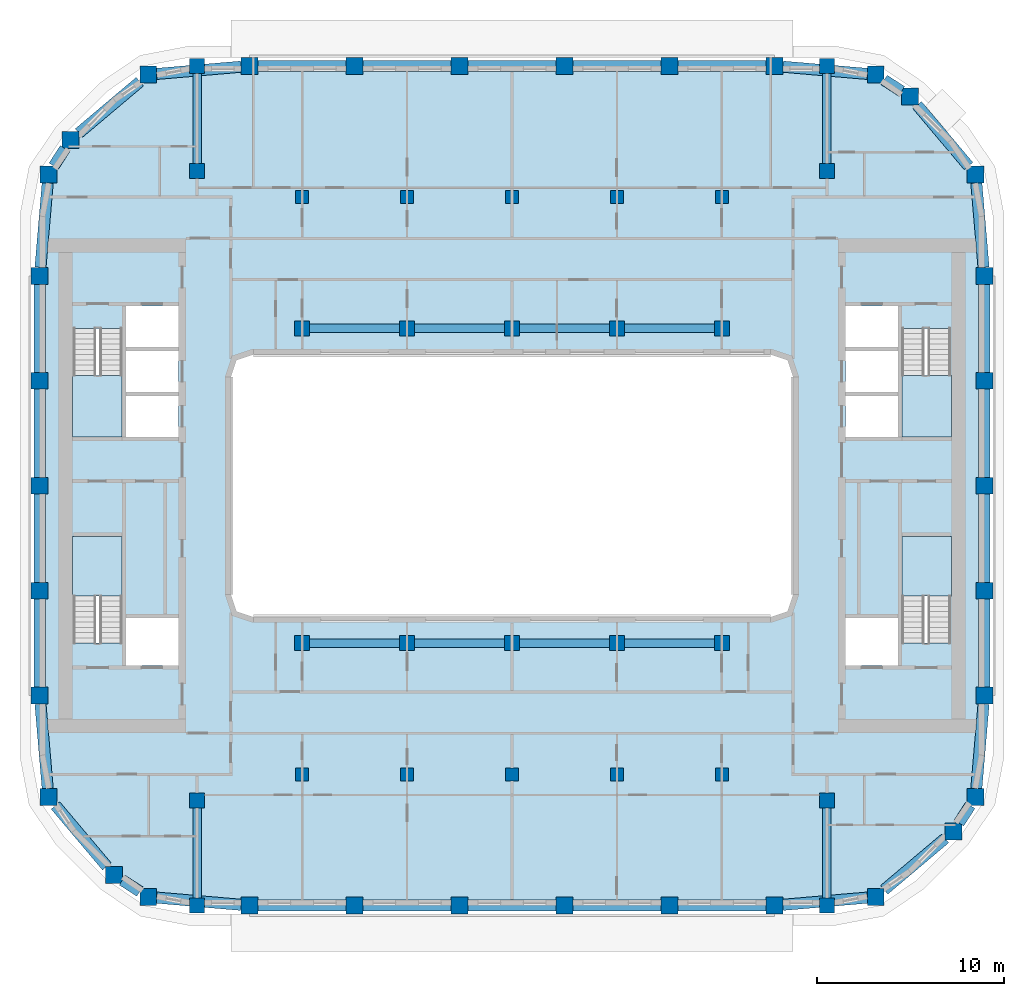
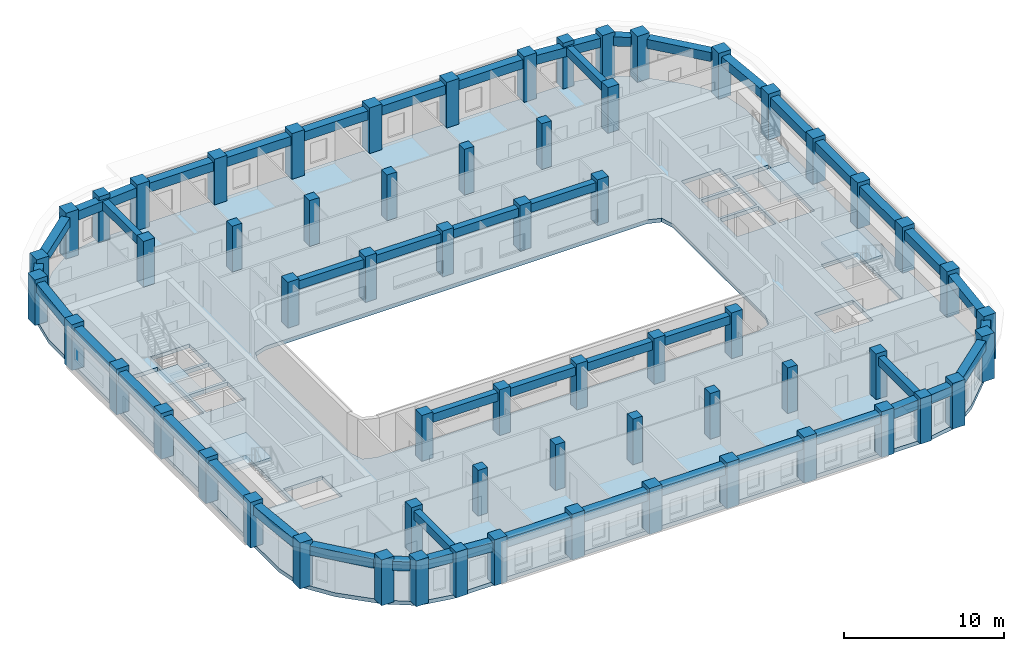
# One storey, part 1 of 20: 62 columns, 46 beams, 5 slabs, 4 elements without a shape of their own.
"""IFC4 building model written with IfcOpenShell, lengths in metres."""

from ifc_helpers import new_model, si_unit, direction, frame, origin, origin_2d, place, context, subcontext, project, spatial, polyline, rectangle, outline, extrude, material, layer, layer_set, material_profile, profile_set, type_object, element, aggregate, save


model = new_model("IFC4")

# Units and contexts
model_context = context("Model", 3, precision=1e-05, world=origin(), true_north=direction((0.0, 1.0)))
body_context = subcontext(model_context, "Body", "Model", "MODEL_VIEW")
ifc_project = project(units=[si_unit("LENGTHUNIT", "METRE"), si_unit("AREAUNIT", "SQUARE_METRE"), si_unit("VOLUMEUNIT", "CUBIC_METRE"), si_unit("PLANEANGLEUNIT", "RADIAN"), si_unit("MASSUNIT", "GRAM", prefix="KILO")], contexts=[model_context])

# Site, building, storey
site_placement = place(None, origin())
site = spatial("IfcSite", under=ifc_project, at=site_placement, CompositionType="ELEMENT")
building_placement = place(site_placement, origin())
building = spatial("IfcBuilding", under=site, at=building_placement, Name="Kiln Ring Residences", CompositionType="ELEMENT")
storey_placement = place(building_placement, frame((0.0, 0.0, 206.39990234375)))
storey = spatial("IfcBuildingStorey", under=building, at=storey_placement, Name="L53", CompositionType="ELEMENT", Elevation=206.39990234375)

# Columns
ifc_material_1 = material(Name="Concrete C70/85", Category="concrete")
ifc_material_profile_1 = material_profile(ifc_material_1, rectangle(XDim=0.699951171875, YDim=0.699951171875, at=origin_2d()), Name="RC700x700")
ifc_profile_set_1 = profile_set([ifc_material_profile_1], Name="Concrete C70/85")
column_type_1 = type_object("IfcColumnType", Name="Corridor column RC700x700 C70/85", PredefinedType="COLUMN", material=ifc_profile_set_1)
for number, where, z_axis, x_axis, name in (
    (1, (-11.199951171875, 15.39990234375, 0.0), (0.0, 0.0, 1.0), (1.0, 0.0, 0.0), "Corridor column L53 1"),
    (2, (-5.60009765625, 15.39990234375, 0.0), (0.0, 0.0, 1.0), (1.0, 0.0, 0.0), "Corridor column L53 2"),
    (3, (0.0, 15.39990234375, 0.0), (0.0, 0.0, 1.0), (1.0, 0.0, 0.0), "Corridor column L53 3"),
    (4, (5.60009765625, 15.39990234375, 0.0), (0.0, 0.0, 1.0), (1.0, 0.0, 0.0), "Corridor column L53 4"),
    (5, (11.199951171875, 15.39990234375, 0.0), (0.0, 0.0, 1.0), (1.0, 0.0, 0.0), "Corridor column L53 5"),
    (6, (-11.199951171875, -15.39990234375, 0.0), (0.0, 0.0, 1.0), (1.0, 0.0, 0.0), "Corridor column L53 6"),
    (7, (-5.60009765625, -15.39990234375, 0.0), (0.0, 0.0, 1.0), (1.0, 0.0, 0.0), "Corridor column L53 7"),
    (8, (0.0, -15.39990234375, 0.0), (0.0, 0.0, 1.0), (1.0, 0.0, 0.0), "Corridor column L53 8"),
    (9, (5.60009765625, -15.39990234375, 0.0), (0.0, 0.0, 1.0), (1.0, 0.0, 0.0), "Corridor column L53 9"),
    (10, (11.199951171875, -15.39990234375, 0.0), (0.0, 0.0, 1.0), (1.0, 0.0, 0.0), "Corridor column L53 10"),
):
    element("IfcColumn", number, at=place(storey_placement, frame(where, z_axis=z_axis, x_axis=x_axis)), inside=storey, type_object=column_type_1, Name=name, PredefinedType="COLUMN", context=body_context, shape_type="SweptSolid", body=[
        extrude(rectangle(XDim=0.699951171875, YDim=0.699951171875, at=origin_2d()), origin(), (0.0, 0.0, 1.0), 3.5),
    ])
ifc_material_2 = material(Name="Concrete C70/85", Category="concrete")
ifc_material_profile_2 = material_profile(ifc_material_2, rectangle(XDim=0.89990234375, YDim=0.89990234375, at=origin_2d()), Name="RC900x900")
ifc_profile_set_2 = profile_set([ifc_material_profile_2], Name="Concrete C70/85")
column_type_2 = type_object("IfcColumnType", Name="Perimeter column RC900x900 C70/85", PredefinedType="COLUMN", material=ifc_profile_set_2)
for number, where, z_axis, x_axis, name in (
    (11, (-19.40869140625, -21.93798828125, 0.0), (0.0, 0.0, 1.0), (1.0, 0.0, 0.0), "Perimeter column L53 1"),
    (12, (-14.0, -22.39990234375, 0.0), (0.0, 0.0, 1.0), (1.0, 0.0, 0.0), "Perimeter column L53 2"),
    (13, (-8.39990234375, -22.39990234375, 0.0), (0.0, 0.0, 1.0), (1.0, 0.0, 0.0), "Perimeter column L53 3"),
    (14, (-2.800048828125, -22.39990234375, 0.0), (0.0, 0.0, 1.0), (1.0, 0.0, 0.0), "Perimeter column L53 4"),
    (15, (2.800048828125, -22.39990234375, 0.0), (0.0, 0.0, 1.0), (1.0, 0.0, 0.0), "Perimeter column L53 5"),
    (16, (8.39990234375, -22.39990234375, 0.0), (0.0, 0.0, 1.0), (1.0, 0.0, 0.0), "Perimeter column L53 6"),
    (17, (14.0, -22.39990234375, 0.0), (0.0, 0.0, 1.0), (1.0, 0.0, 0.0), "Perimeter column L53 7"),
    (18, (19.40869140625, -21.93798828125, 0.0), (0.0, 0.0, 1.0), (1.0, 0.0, 0.0), "Perimeter column L53 8"),
    (19, (23.559814453125, -18.440185546875, 0.0), (0.0, 0.0, 1.0), (1.0, 0.0, 0.0), "Perimeter column L53 9"),
    (20, (24.738037109375, -16.608642578125, 0.0), (0.0, 0.0, 1.0), (1.0, 0.0, 0.0), "Perimeter column L53 10"),
    (21, (25.199951171875, -11.199951171875, 0.0), (0.0, 0.0, 1.0), (1.0, 0.0, 0.0), "Perimeter column L53 11"),
    (22, (25.199951171875, -5.60009765625, 0.0), (0.0, 0.0, 1.0), (1.0, 0.0, 0.0), "Perimeter column L53 12"),
    (23, (25.199951171875, 0.0, 0.0), (0.0, 0.0, 1.0), (1.0, 0.0, 0.0), "Perimeter column L53 13"),
    (24, (25.199951171875, 5.60009765625, 0.0), (0.0, 0.0, 1.0), (1.0, 0.0, 0.0), "Perimeter column L53 14"),
    (25, (25.199951171875, 11.199951171875, 0.0), (0.0, 0.0, 1.0), (1.0, 0.0, 0.0), "Perimeter column L53 15"),
    (26, (24.738037109375, 16.608642578125, 0.0), (0.0, 0.0, 1.0), (1.0, 0.0, 0.0), "Perimeter column L53 16"),
    (27, (21.240234375, 20.759765625, 0.0), (0.0, 0.0, 1.0), (1.0, 0.0, 0.0), "Perimeter column L53 17"),
    (28, (19.40869140625, 21.93798828125, 0.0), (0.0, 0.0, 1.0), (1.0, 0.0, 0.0), "Perimeter column L53 18"),
    (29, (14.0, 22.39990234375, 0.0), (0.0, 0.0, 1.0), (1.0, 0.0, 0.0), "Perimeter column L53 19"),
    (30, (8.39990234375, 22.39990234375, 0.0), (0.0, 0.0, 1.0), (1.0, 0.0, 0.0), "Perimeter column L53 20"),
    (31, (2.800048828125, 22.39990234375, 0.0), (0.0, 0.0, 1.0), (1.0, 0.0, 0.0), "Perimeter column L53 21"),
    (32, (-2.800048828125, 22.39990234375, 0.0), (0.0, 0.0, 1.0), (1.0, 0.0, 0.0), "Perimeter column L53 22"),
    (33, (-8.39990234375, 22.39990234375, 0.0), (0.0, 0.0, 1.0), (1.0, 0.0, 0.0), "Perimeter column L53 23"),
    (34, (-14.0, 22.39990234375, 0.0), (0.0, 0.0, 1.0), (1.0, 0.0, 0.0), "Perimeter column L53 24"),
    (35, (-19.40869140625, 21.93798828125, 0.0), (0.0, 0.0, 1.0), (1.0, 0.0, 0.0), "Perimeter column L53 25"),
    (36, (-23.559814453125, 18.440185546875, 0.0), (0.0, 0.0, 1.0), (1.0, 0.0, 0.0), "Perimeter column L53 26"),
    (37, (-24.738037109375, 16.608642578125, 0.0), (0.0, 0.0, 1.0), (1.0, 0.0, 0.0), "Perimeter column L53 27"),
    (38, (-25.199951171875, 11.199951171875, 0.0), (0.0, 0.0, 1.0), (1.0, 0.0, 0.0), "Perimeter column L53 28"),
    (39, (-25.199951171875, 5.60009765625, 0.0), (0.0, 0.0, 1.0), (1.0, 0.0, 0.0), "Perimeter column L53 29"),
    (40, (-25.199951171875, 0.0, 0.0), (0.0, 0.0, 1.0), (1.0, 0.0, 0.0), "Perimeter column L53 30"),
    (41, (-25.199951171875, -5.60009765625, 0.0), (0.0, 0.0, 1.0), (1.0, 0.0, 0.0), "Perimeter column L53 31"),
    (42, (-25.199951171875, -11.199951171875, 0.0), (0.0, 0.0, 1.0), (1.0, 0.0, 0.0), "Perimeter column L53 32"),
    (43, (-24.738037109375, -16.608642578125, 0.0), (0.0, 0.0, 1.0), (1.0, 0.0, 0.0), "Perimeter column L53 33"),
    (44, (-21.240234375, -20.759765625, 0.0), (0.0, 0.0, 1.0), (1.0, 0.0, 0.0), "Perimeter column L53 34"),
):
    element("IfcColumn", number, at=place(storey_placement, frame(where, z_axis=z_axis, x_axis=x_axis)), inside=storey, type_object=column_type_2, Name=name, PredefinedType="COLUMN", context=body_context, shape_type="SweptSolid", body=[
        extrude(rectangle(XDim=0.89990234375, YDim=0.89990234375, at=origin_2d()), origin(), (0.0, 0.0, 1.0), 3.5),
    ])
ifc_material_3 = material(Name="Concrete C70/85", Category="concrete")
ifc_material_profile_3 = material_profile(ifc_material_3, rectangle(XDim=0.800048828125, YDim=0.800048828125, at=origin_2d()), Name="RC800x800")
ifc_profile_set_3 = profile_set([ifc_material_profile_3], Name="Concrete C70/85")
column_type_3 = type_object("IfcColumnType", Name="Ring column RC800x800 C70/85", PredefinedType="COLUMN", material=ifc_profile_set_3)
for number, where, z_axis, x_axis, name in (
    (45, (-16.800048828125, -22.39990234375, 0.0), (0.0, 0.0, 1.0), (1.0, 0.0, 0.0), "Ring column L53 1"),
    (46, (-16.800048828125, -16.800048828125, 0.0), (0.0, 0.0, 1.0), (1.0, 0.0, 0.0), "Ring column L53 2"),
    (47, (-16.800048828125, 16.800048828125, 0.0), (0.0, 0.0, 1.0), (1.0, 0.0, 0.0), "Ring column L53 3"),
    (48, (-16.800048828125, 22.39990234375, 0.0), (0.0, 0.0, 1.0), (1.0, 0.0, 0.0), "Ring column L53 4"),
    (49, (-11.199951171875, -8.39990234375, 0.0), (0.0, 0.0, 1.0), (1.0, 0.0, 0.0), "Ring column L53 5"),
    (50, (-11.199951171875, 8.39990234375, 0.0), (0.0, 0.0, 1.0), (1.0, 0.0, 0.0), "Ring column L53 6"),
    (51, (-5.60009765625, -8.39990234375, 0.0), (0.0, 0.0, 1.0), (1.0, 0.0, 0.0), "Ring column L53 7"),
    (52, (-5.60009765625, 8.39990234375, 0.0), (0.0, 0.0, 1.0), (1.0, 0.0, 0.0), "Ring column L53 8"),
    (53, (0.0, -8.39990234375, 0.0), (0.0, 0.0, 1.0), (1.0, 0.0, 0.0), "Ring column L53 9"),
    (54, (0.0, 8.39990234375, 0.0), (0.0, 0.0, 1.0), (1.0, 0.0, 0.0), "Ring column L53 10"),
    (55, (5.60009765625, -8.39990234375, 0.0), (0.0, 0.0, 1.0), (1.0, 0.0, 0.0), "Ring column L53 11"),
    (56, (5.60009765625, 8.39990234375, 0.0), (0.0, 0.0, 1.0), (1.0, 0.0, 0.0), "Ring column L53 12"),
    (57, (11.199951171875, -8.39990234375, 0.0), (0.0, 0.0, 1.0), (1.0, 0.0, 0.0), "Ring column L53 13"),
    (58, (11.199951171875, 8.39990234375, 0.0), (0.0, 0.0, 1.0), (1.0, 0.0, 0.0), "Ring column L53 14"),
    (59, (16.800048828125, -22.39990234375, 0.0), (0.0, 0.0, 1.0), (1.0, 0.0, 0.0), "Ring column L53 15"),
    (60, (16.800048828125, -16.800048828125, 0.0), (0.0, 0.0, 1.0), (1.0, 0.0, 0.0), "Ring column L53 16"),
    (61, (16.800048828125, 16.800048828125, 0.0), (0.0, 0.0, 1.0), (1.0, 0.0, 0.0), "Ring column L53 17"),
    (62, (16.800048828125, 22.39990234375, 0.0), (0.0, 0.0, 1.0), (1.0, 0.0, 0.0), "Ring column L53 18"),
):
    element("IfcColumn", number, at=place(storey_placement, frame(where, z_axis=z_axis, x_axis=x_axis)), inside=storey, type_object=column_type_3, Name=name, PredefinedType="COLUMN", context=body_context, shape_type="SweptSolid", body=[
        extrude(rectangle(XDim=0.800048828125, YDim=0.800048828125, at=origin_2d()), origin(), (0.0, 0.0, 1.0), 3.5),
    ])

# Beams
ifc_material_4 = material(Name="Concrete C50/60", Category="concrete")
ifc_material_profile_4 = material_profile(ifc_material_4, rectangle(XDim=0.449951171875, YDim=0.64990234375, at=origin_2d()), Name="RC450x650")
ifc_profile_set_4 = profile_set([ifc_material_profile_4], Name="Concrete C50/60")
beam_type_1 = type_object("IfcBeamType", Name="Ring beam RC450x650 C50/60", PredefinedType="BEAM", material=ifc_profile_set_4)
for number, where, z_axis, x_axis, name in (
    (63, (-10.800048828125, -8.39990234375, 2.875), (1.0, 0.0, 0.0), (0.0, 1.0, 0.0), "Ring beam L53 1"),
    (64, (-5.199951171875, -8.39990234375, 2.875), (1.0, 0.0, 0.0), (0.0, 1.0, 0.0), "Ring beam L53 2"),
    (65, (0.39990234375, -8.39990234375, 2.875), (1.0, 0.0, 0.0), (0.0, 1.0, 0.0), "Ring beam L53 3"),
    (66, (6.0, -8.39990234375, 2.875), (1.0, 0.0, 0.0), (0.0, 1.0, 0.0), "Ring beam L53 4"),
    (67, (-10.800048828125, 8.39990234375, 2.875), (1.0, 0.0, 0.0), (0.0, 1.0, 0.0), "Ring beam L53 5"),
    (68, (-5.199951171875, 8.39990234375, 2.875), (1.0, 0.0, 0.0), (0.0, 1.0, 0.0), "Ring beam L53 6"),
    (69, (0.39990234375, 8.39990234375, 2.875), (1.0, 0.0, 0.0), (0.0, 1.0, 0.0), "Ring beam L53 7"),
    (70, (6.0, 8.39990234375, 2.875), (1.0, 0.0, 0.0), (0.0, 1.0, 0.0), "Ring beam L53 8"),
    (71, (-16.800048828125, -17.199951171875, 2.875), (0.0, -1.0, 0.0), (1.0, 0.0, 0.0), "Ring beam L53 9"),
    (72, (-16.800048828125, 17.199951171875, 2.875), (0.0, 1.0, 0.0), (-1.0, 0.0, 0.0), "Ring beam L53 10"),
    (73, (16.800048828125, -17.199951171875, 2.875), (0.0, -1.0, 0.0), (1.0, 0.0, 0.0), "Ring beam L53 11"),
    (74, (16.800048828125, 17.199951171875, 2.875), (0.0, 1.0, 0.0), (-1.0, 0.0, 0.0), "Ring beam L53 12"),
):
    element("IfcBeam", number, at=place(storey_placement, frame(where, z_axis=z_axis, x_axis=x_axis)), inside=storey, type_object=beam_type_1, Name=name, PredefinedType="BEAM", context=body_context, shape_type="SweptSolid", body=[
        extrude(rectangle(XDim=0.449951171875, YDim=0.64990234375, at=origin_2d()), origin(), (0.0, 0.0, 1.0), 4.800048828125),
    ])
ifc_material_5 = material(Name="Concrete C50/60", Category="concrete")
ifc_material_profile_5 = material_profile(ifc_material_5, rectangle(XDim=0.60009765625, YDim=0.699951171875, at=origin_2d()), Name="RC600x700")
ifc_profile_set_5 = profile_set([ifc_material_profile_5], Name="Concrete C50/60")
beam_type_2 = type_object("IfcBeamType", Name="Spandrel beam RC600x700 C50/60", PredefinedType="SPANDREL", material=ifc_profile_set_5)
beam_1_placement = place(storey_placement, frame((-18.958740234375, -21.9765625, 2.85009765625), z_axis=(0.996374010608, -0.085081319836, 0.0), x_axis=(0.085081319836, 0.996374010608, 0.0)))
element("IfcBeam", 75, at=beam_1_placement, inside=storey, type_object=beam_type_2, Name="Spandrel beam L53 1", PredefinedType="SPANDREL", context=body_context, shape_type="SweptSolid", body=[
    extrude(rectangle(XDim=0.60009765625, YDim=0.699951171875, at=origin_2d()), origin(), (0.0, 0.0, 1.0), 4.525146484375),
])
for number, where, z_axis, x_axis, name in (
    (76, (-13.550048828125, -22.39990234375, 2.85009765625), (1.0, 0.0, 0.0), (0.0, 1.0, 0.0), "Spandrel beam L53 2"),
    (77, (-7.949951171875, -22.39990234375, 2.85009765625), (1.0, 0.0, 0.0), (0.0, 1.0, 0.0), "Spandrel beam L53 3"),
):
    element("IfcBeam", number, at=place(storey_placement, frame(where, z_axis=z_axis, x_axis=x_axis)), inside=storey, type_object=beam_type_2, Name=name, PredefinedType="SPANDREL", context=body_context, shape_type="SweptSolid", body=[
        extrude(rectangle(XDim=0.60009765625, YDim=0.699951171875, at=origin_2d()), origin(), (0.0, 0.0, 1.0), 4.699951171875),
    ])
beam_2_placement = place(storey_placement, frame((-2.35009765625, -22.39990234375, 2.85009765625), z_axis=(1.0, 0.0, 0.0), x_axis=(0.0, 1.0, 0.0)))
element("IfcBeam", 78, at=beam_2_placement, inside=storey, type_object=beam_type_2, Name="Spandrel beam L53 4", PredefinedType="SPANDREL", context=body_context, shape_type="SweptSolid", body=[
    extrude(rectangle(XDim=0.60009765625, YDim=0.699951171875, at=origin_2d()), origin(), (0.0, 0.0, 1.0), 4.7001953125),
])
for number, where, z_axis, x_axis, name in (
    (79, (3.25, -22.39990234375, 2.85009765625), (1.0, 0.0, 0.0), (0.0, 1.0, 0.0), "Spandrel beam L53 5"),
    (80, (8.85009765625, -22.39990234375, 2.85009765625), (1.0, 0.0, 0.0), (0.0, 1.0, 0.0), "Spandrel beam L53 6"),
):
    element("IfcBeam", number, at=place(storey_placement, frame(where, z_axis=z_axis, x_axis=x_axis)), inside=storey, type_object=beam_type_2, Name=name, PredefinedType="SPANDREL", context=body_context, shape_type="SweptSolid", body=[
        extrude(rectangle(XDim=0.60009765625, YDim=0.699951171875, at=origin_2d()), origin(), (0.0, 0.0, 1.0), 4.699951171875),
    ])
beam_3_placement = place(storey_placement, frame((14.449951171875, -22.361572265625, 2.85009765625), z_axis=(0.996374010608, 0.085081319836, 0.0), x_axis=(-0.085081319836, 0.996374010608, 0.0)))
element("IfcBeam", 81, at=beam_3_placement, inside=storey, type_object=beam_type_2, Name="Spandrel beam L53 7", PredefinedType="SPANDREL", context=body_context, shape_type="SweptSolid", body=[
    extrude(rectangle(XDim=0.60009765625, YDim=0.699951171875, at=origin_2d()), origin(), (0.0, 0.0, 1.0), 4.525146484375),
])
beam_4_placement = place(storey_placement, frame((19.858642578125, -21.558837890625, 2.85009765625), z_axis=(0.764722045893, 0.644360297136, 0.0), x_axis=(-0.644360297136, 0.764722045893, 0.0)))
element("IfcBeam", 82, at=beam_4_placement, inside=storey, type_object=beam_type_2, Name="Spandrel beam L53 8", PredefinedType="SPANDREL", context=body_context, shape_type="SweptSolid", body=[
    extrude(rectangle(XDim=0.60009765625, YDim=0.699951171875, at=origin_2d()), origin(), (0.0, 0.0, 1.0), 4.25146484375),
])
beam_5_placement = place(storey_placement, frame((23.849365234375, -17.990234375, 2.85009765625), z_axis=(0.540891264019, 0.841092527911, 0.0), x_axis=(-0.841092527911, 0.540891264019, 0.0)))
element("IfcBeam", 83, at=beam_5_placement, inside=storey, type_object=beam_type_2, Name="Spandrel beam L53 9", PredefinedType="SPANDREL", context=body_context, shape_type="SweptSolid", body=[
    extrude(rectangle(XDim=0.60009765625, YDim=0.699951171875, at=origin_2d()), origin(), (0.0, 0.0, 1.0), 1.107666015625),
])
beam_6_placement = place(storey_placement, frame((24.776611328125, -16.15869140625, 2.85009765625), z_axis=(0.085081319836, 0.996374010608, 0.0), x_axis=(-0.996374010608, 0.085081319836, 0.0)))
element("IfcBeam", 84, at=beam_6_placement, inside=storey, type_object=beam_type_2, Name="Spandrel beam L53 10", PredefinedType="SPANDREL", context=body_context, shape_type="SweptSolid", body=[
    extrude(rectangle(XDim=0.60009765625, YDim=0.699951171875, at=origin_2d()), origin(), (0.0, 0.0, 1.0), 4.525146484375),
])
for number, where, z_axis, x_axis, name in (
    (85, (25.199951171875, -10.75, 2.85009765625), (0.0, 1.0, 0.0), (-1.0, 0.0, 0.0), "Spandrel beam L53 11"),
    (86, (25.199951171875, -5.14990234375, 2.85009765625), (0.0, 1.0, 0.0), (-1.0, 0.0, 0.0), "Spandrel beam L53 12"),
    (87, (25.199951171875, 0.449951171875, 2.85009765625), (0.0, 1.0, 0.0), (-1.0, 0.0, 0.0), "Spandrel beam L53 13"),
    (88, (25.199951171875, 6.050048828125, 2.85009765625), (0.0, 1.0, 0.0), (-1.0, 0.0, 0.0), "Spandrel beam L53 14"),
):
    element("IfcBeam", number, at=place(storey_placement, frame(where, z_axis=z_axis, x_axis=x_axis)), inside=storey, type_object=beam_type_2, Name=name, PredefinedType="SPANDREL", context=body_context, shape_type="SweptSolid", body=[
        extrude(rectangle(XDim=0.60009765625, YDim=0.699951171875, at=origin_2d()), origin(), (0.0, 0.0, 1.0), 4.699951171875),
    ])
beam_7_placement = place(storey_placement, frame((25.16162109375, 11.64990234375, 2.85009765625), z_axis=(-0.085081319836, 0.996374010608, 0.0), x_axis=(-0.996374010608, -0.085081319836, 0.0)))
element("IfcBeam", 89, at=beam_7_placement, inside=storey, type_object=beam_type_2, Name="Spandrel beam L53 15", PredefinedType="SPANDREL", context=body_context, shape_type="SweptSolid", body=[
    extrude(rectangle(XDim=0.60009765625, YDim=0.699951171875, at=origin_2d()), origin(), (0.0, 0.0, 1.0), 4.525146484375),
])
beam_8_placement = place(storey_placement, frame((24.35888671875, 17.05859375, 2.85009765625), z_axis=(-0.644360297136, 0.764722045893, 0.0), x_axis=(-0.764722045893, -0.644360297136, 0.0)))
element("IfcBeam", 90, at=beam_8_placement, inside=storey, type_object=beam_type_2, Name="Spandrel beam L53 16", PredefinedType="SPANDREL", context=body_context, shape_type="SweptSolid", body=[
    extrude(rectangle(XDim=0.60009765625, YDim=0.699951171875, at=origin_2d()), origin(), (0.0, 0.0, 1.0), 4.25146484375),
])
beam_9_placement = place(storey_placement, frame((20.790283203125, 21.04931640625, 2.85009765625), z_axis=(-0.840992251229, 0.541047163723, 0.0), x_axis=(-0.541047163723, -0.840992251229, 0.0)))
element("IfcBeam", 91, at=beam_9_placement, inside=storey, type_object=beam_type_2, Name="Spandrel beam L53 17", PredefinedType="SPANDREL", context=body_context, shape_type="SweptSolid", body=[
    extrude(rectangle(XDim=0.60009765625, YDim=0.699951171875, at=origin_2d()), origin(), (0.0, 0.0, 1.0), 1.107666015625),
])
beam_10_placement = place(storey_placement, frame((18.958740234375, 21.9765625, 2.85009765625), z_axis=(-0.996374010608, 0.085081319836, 0.0), x_axis=(-0.085081319836, -0.996374010608, 0.0)))
element("IfcBeam", 92, at=beam_10_placement, inside=storey, type_object=beam_type_2, Name="Spandrel beam L53 18", PredefinedType="SPANDREL", context=body_context, shape_type="SweptSolid", body=[
    extrude(rectangle(XDim=0.60009765625, YDim=0.699951171875, at=origin_2d()), origin(), (0.0, 0.0, 1.0), 4.525146484375),
])
for number, where, z_axis, x_axis, name in (
    (93, (13.550048828125, 22.39990234375, 2.85009765625), (-1.0, 0.0, 0.0), (0.0, -1.0, 0.0), "Spandrel beam L53 19"),
    (94, (7.949951171875, 22.39990234375, 2.85009765625), (-1.0, 0.0, 0.0), (0.0, -1.0, 0.0), "Spandrel beam L53 20"),
):
    element("IfcBeam", number, at=place(storey_placement, frame(where, z_axis=z_axis, x_axis=x_axis)), inside=storey, type_object=beam_type_2, Name=name, PredefinedType="SPANDREL", context=body_context, shape_type="SweptSolid", body=[
        extrude(rectangle(XDim=0.60009765625, YDim=0.699951171875, at=origin_2d()), origin(), (0.0, 0.0, 1.0), 4.699951171875),
    ])
beam_11_placement = place(storey_placement, frame((2.35009765625, 22.39990234375, 2.85009765625), z_axis=(-1.0, 0.0, 0.0), x_axis=(0.0, -1.0, 0.0)))
element("IfcBeam", 95, at=beam_11_placement, inside=storey, type_object=beam_type_2, Name="Spandrel beam L53 21", PredefinedType="SPANDREL", context=body_context, shape_type="SweptSolid", body=[
    extrude(rectangle(XDim=0.60009765625, YDim=0.699951171875, at=origin_2d()), origin(), (0.0, 0.0, 1.0), 4.7001953125),
])
for number, where, z_axis, x_axis, name in (
    (96, (-3.25, 22.39990234375, 2.85009765625), (-1.0, 0.0, 0.0), (0.0, -1.0, 0.0), "Spandrel beam L53 22"),
    (97, (-8.85009765625, 22.39990234375, 2.85009765625), (-1.0, 0.0, 0.0), (0.0, -1.0, 0.0), "Spandrel beam L53 23"),
):
    element("IfcBeam", number, at=place(storey_placement, frame(where, z_axis=z_axis, x_axis=x_axis)), inside=storey, type_object=beam_type_2, Name=name, PredefinedType="SPANDREL", context=body_context, shape_type="SweptSolid", body=[
        extrude(rectangle(XDim=0.60009765625, YDim=0.699951171875, at=origin_2d()), origin(), (0.0, 0.0, 1.0), 4.699951171875),
    ])
beam_12_placement = place(storey_placement, frame((-14.449951171875, 22.361572265625, 2.85009765625), z_axis=(-0.996374010608, -0.085081319836, 0.0), x_axis=(0.085081319836, -0.996374010608, 0.0)))
element("IfcBeam", 98, at=beam_12_placement, inside=storey, type_object=beam_type_2, Name="Spandrel beam L53 24", PredefinedType="SPANDREL", context=body_context, shape_type="SweptSolid", body=[
    extrude(rectangle(XDim=0.60009765625, YDim=0.699951171875, at=origin_2d()), origin(), (0.0, 0.0, 1.0), 4.525146484375),
])
beam_13_placement = place(storey_placement, frame((-19.858642578125, 21.558837890625, 2.85009765625), z_axis=(-0.764722045893, -0.644360297136, 0.0), x_axis=(0.644360297136, -0.764722045893, 0.0)))
element("IfcBeam", 99, at=beam_13_placement, inside=storey, type_object=beam_type_2, Name="Spandrel beam L53 25", PredefinedType="SPANDREL", context=body_context, shape_type="SweptSolid", body=[
    extrude(rectangle(XDim=0.60009765625, YDim=0.699951171875, at=origin_2d()), origin(), (0.0, 0.0, 1.0), 4.25146484375),
])
beam_14_placement = place(storey_placement, frame((-23.849365234375, 17.990234375, 2.85009765625), z_axis=(-0.540891264019, -0.841092527911, 0.0), x_axis=(0.841092527911, -0.540891264019, 0.0)))
element("IfcBeam", 100, at=beam_14_placement, inside=storey, type_object=beam_type_2, Name="Spandrel beam L53 26", PredefinedType="SPANDREL", context=body_context, shape_type="SweptSolid", body=[
    extrude(rectangle(XDim=0.60009765625, YDim=0.699951171875, at=origin_2d()), origin(), (0.0, 0.0, 1.0), 1.107666015625),
])
beam_15_placement = place(storey_placement, frame((-24.776611328125, 16.15869140625, 2.85009765625), z_axis=(-0.085081319836, -0.996374010608, 0.0), x_axis=(0.996374010608, -0.085081319836, 0.0)))
element("IfcBeam", 101, at=beam_15_placement, inside=storey, type_object=beam_type_2, Name="Spandrel beam L53 27", PredefinedType="SPANDREL", context=body_context, shape_type="SweptSolid", body=[
    extrude(rectangle(XDim=0.60009765625, YDim=0.699951171875, at=origin_2d()), origin(), (0.0, 0.0, 1.0), 4.525146484375),
])
for number, where, z_axis, x_axis, name in (
    (102, (-25.199951171875, 10.75, 2.85009765625), (0.0, -1.0, 0.0), (1.0, 0.0, 0.0), "Spandrel beam L53 28"),
    (103, (-25.199951171875, 5.14990234375, 2.85009765625), (0.0, -1.0, 0.0), (1.0, 0.0, 0.0), "Spandrel beam L53 29"),
    (104, (-25.199951171875, -0.449951171875, 2.85009765625), (0.0, -1.0, 0.0), (1.0, 0.0, 0.0), "Spandrel beam L53 30"),
    (105, (-25.199951171875, -6.050048828125, 2.85009765625), (0.0, -1.0, 0.0), (1.0, 0.0, 0.0), "Spandrel beam L53 31"),
):
    element("IfcBeam", number, at=place(storey_placement, frame(where, z_axis=z_axis, x_axis=x_axis)), inside=storey, type_object=beam_type_2, Name=name, PredefinedType="SPANDREL", context=body_context, shape_type="SweptSolid", body=[
        extrude(rectangle(XDim=0.60009765625, YDim=0.699951171875, at=origin_2d()), origin(), (0.0, 0.0, 1.0), 4.699951171875),
    ])
beam_16_placement = place(storey_placement, frame((-25.16162109375, -11.64990234375, 2.85009765625), z_axis=(0.085081319836, -0.996374010608, 0.0), x_axis=(0.996374010608, 0.085081319836, 0.0)))
element("IfcBeam", 106, at=beam_16_placement, inside=storey, type_object=beam_type_2, Name="Spandrel beam L53 32", PredefinedType="SPANDREL", context=body_context, shape_type="SweptSolid", body=[
    extrude(rectangle(XDim=0.60009765625, YDim=0.699951171875, at=origin_2d()), origin(), (0.0, 0.0, 1.0), 4.525146484375),
])
beam_17_placement = place(storey_placement, frame((-24.35888671875, -17.05859375, 2.85009765625), z_axis=(0.644360297136, -0.764722045893, 0.0), x_axis=(0.764722045893, 0.644360297136, 0.0)))
element("IfcBeam", 107, at=beam_17_placement, inside=storey, type_object=beam_type_2, Name="Spandrel beam L53 33", PredefinedType="SPANDREL", context=body_context, shape_type="SweptSolid", body=[
    extrude(rectangle(XDim=0.60009765625, YDim=0.699951171875, at=origin_2d()), origin(), (0.0, 0.0, 1.0), 4.25146484375),
])
beam_18_placement = place(storey_placement, frame((-20.790283203125, -21.04931640625, 2.85009765625), z_axis=(0.840992251229, -0.541047163723, 0.0), x_axis=(0.541047163723, 0.840992251229, 0.0)))
element("IfcBeam", 108, at=beam_18_placement, inside=storey, type_object=beam_type_2, Name="Spandrel beam L53 34", PredefinedType="SPANDREL", context=body_context, shape_type="SweptSolid", body=[
    extrude(rectangle(XDim=0.60009765625, YDim=0.699951171875, at=origin_2d()), origin(), (0.0, 0.0, 1.0), 1.107666015625),
])

# Stair, slab
ifc_material_6 = material(Name="Concrete C40/50", Category="concrete")
stair_type = type_object("IfcStairType", Name="CORE-STAIR", PredefinedType="HALF_TURN_STAIR", material=ifc_material_6)
placement_1 = place(storey_placement, origin())
stair_1 = element("IfcStair", 109, at=placement_1, inside=storey, type_object=stair_type, Name="L53 stair W-STN", PredefinedType="HALF_TURN_STAIR")
ifc_material_7 = material(Name="Concrete C40/50", Category="concrete")
ifc_layer_1 = layer(ifc_material_7, 0.199951171875)
ifc_layer_set_1 = layer_set([ifc_layer_1], Name="CORE-STAIR-LANDING")
slab_type_1 = type_object("IfcSlabType", Name="CORE-STAIR-LANDING", PredefinedType="LANDING", material=ifc_layer_set_1)
placement_2 = place(storey_placement, frame((0.0, 0.0, 1.550048828125)))
slab_1 = element("IfcSlab", 110, at=placement_2, type_object=slab_type_1, Name="W-STN landing 1", PredefinedType="LANDING", context=body_context, shape_type="SweptSolid", body=[
    extrude(outline(polyline([(-23.449951171875, 5.8798828125), (-23.449951171875, 2.60009765625), (-20.800048828125, 2.60009765625), (-20.800048828125, 5.8798828125), (-23.449951171875, 5.8798828125)])), origin(), (0.0, 0.0, 1.0), 0.199951171875),
])
aggregate(stair_1, [slab_1])

stair_2 = element("IfcStair", 111, at=placement_1, inside=storey, type_object=stair_type, Name="L53 stair W-STS", PredefinedType="HALF_TURN_STAIR")
slab_2 = element("IfcSlab", 112, at=placement_2, type_object=slab_type_1, Name="W-STS landing 1", PredefinedType="LANDING", context=body_context, shape_type="SweptSolid", body=[
    extrude(outline(polyline([(-20.800048828125, -5.8798828125), (-20.800048828125, -2.699951171875), (-23.449951171875, -2.699951171875), (-23.449951171875, -5.8798828125), (-20.800048828125, -5.8798828125)])), origin(), (0.0, 0.0, 1.0), 0.199951171875),
])
aggregate(stair_2, [slab_2])

stair_3 = element("IfcStair", 113, at=placement_1, inside=storey, type_object=stair_type, Name="L53 stair E-STN", PredefinedType="HALF_TURN_STAIR")
slab_3 = element("IfcSlab", 114, at=placement_2, type_object=slab_type_1, Name="E-STN landing 1", PredefinedType="LANDING", context=body_context, shape_type="SweptSolid", body=[
    extrude(outline(polyline([(20.800048828125, 5.8798828125), (20.800048828125, 2.60009765625), (23.449951171875, 2.60009765625), (23.449951171875, 5.8798828125), (20.800048828125, 5.8798828125)])), origin(), (0.0, 0.0, 1.0), 0.199951171875),
])
aggregate(stair_3, [slab_3])

stair_4 = element("IfcStair", 115, at=placement_1, inside=storey, type_object=stair_type, Name="L53 stair E-STS", PredefinedType="HALF_TURN_STAIR")
slab_4 = element("IfcSlab", 116, at=placement_2, type_object=slab_type_1, Name="E-STS landing 1", PredefinedType="LANDING", context=body_context, shape_type="SweptSolid", body=[
    extrude(outline(polyline([(23.449951171875, -5.8798828125), (23.449951171875, -2.699951171875), (20.800048828125, -2.699951171875), (20.800048828125, -5.8798828125), (23.449951171875, -5.8798828125)])), origin(), (0.0, 0.0, 1.0), 0.199951171875),
])
aggregate(stair_4, [slab_4])

# Slab
ifc_material_8 = material(Name="Concrete C40/50", Category="concrete")
ifc_layer_2 = layer(ifc_material_8, 0.300048828125)
ifc_layer_set_2 = layer_set([ifc_layer_2], Name="Floor slab 300")
slab_type_2 = type_object("IfcSlabType", Name="Floor slab 300", PredefinedType="FLOOR", material=ifc_layer_set_2)
slab_5_placement = place(storey_placement, frame((0.0, 0.0, -0.2998046875)))
element("IfcSlab", 117, at=slab_5_placement, inside=storey, type_object=slab_type_2, Name="Floor slab L53 1", PredefinedType="FLOOR", context=body_context, shape_type="SweptSolid", body=[
    extrude(outline(polyline([(-23.5029296875, -18.4970703125), (-21.297119140625, -20.702880859375), (-19.42431640625, -21.975830078125), (-17.199951171875, -22.39990234375), (17.199951171875, -22.39990234375), (19.42431640625, -21.975830078125), (21.297119140625, -20.702880859375), (23.5029296875, -18.4970703125), (24.775634765625, -16.624267578125), (25.199951171875, -14.39990234375), (25.199951171875, 14.39990234375), (24.775634765625, 16.624267578125), (23.5029296875, 18.4970703125), (21.297119140625, 20.702880859375), (19.42431640625, 21.975830078125), (17.199951171875, 22.39990234375), (-17.199951171875, 22.39990234375), (-19.42431640625, 21.975830078125), (-21.297119140625, 20.702880859375), (-23.5029296875, 18.4970703125), (-24.775634765625, 16.624267578125), (-25.199951171875, 14.39990234375), (-25.199951171875, -14.39990234375), (-24.775634765625, -16.624267578125), (-23.5029296875, -18.4970703125)]), holes=[polyline([(-14.699951171875, -6.699951171875), (-15.0, -5.800048828125), (-15.0, 5.800048828125), (-14.699951171875, 6.699951171875), (-13.800048828125, 7.0), (13.800048828125, 7.0), (14.699951171875, 6.699951171875), (15.0, 5.800048828125), (15.0, -5.800048828125), (14.699951171875, -6.699951171875), (13.800048828125, -7.0), (-13.800048828125, -7.0), (-14.699951171875, -6.699951171875)]), polyline([(20.800048828125, -8.39794921875), (20.800048828125, -2.699951171875), (23.39990234375, -2.699951171875), (23.39990234375, -8.39794921875), (20.800048828125, -8.39794921875)]), polyline([(23.39990234375, 2.60009765625), (20.800048828125, 2.60009765625), (20.800048828125, 8.39794921875), (23.39990234375, 8.39794921875), (23.39990234375, 2.60009765625)]), polyline([(17.800048828125, 2.60009765625), (17.800048828125, 4.800048828125), (20.60009765625, 4.800048828125), (20.60009765625, 2.60009765625), (17.800048828125, 2.60009765625)]), polyline([(17.800048828125, 5.0), (17.800048828125, 7.199951171875), (20.60009765625, 7.199951171875), (20.60009765625, 5.0), (17.800048828125, 5.0)]), polyline([(17.800048828125, 7.39990234375), (17.800048828125, 9.60009765625), (20.60009765625, 9.60009765625), (20.60009765625, 7.39990234375), (17.800048828125, 7.39990234375)]), polyline([(20.60009765625, -9.60009765625), (17.800048828125, -9.60009765625), (17.800048828125, -7.050048828125), (20.60009765625, -7.050048828125), (20.60009765625, -9.60009765625)]), polyline([(-17.800048828125, -7.050048828125), (-17.800048828125, -9.60009765625), (-20.60009765625, -9.60009765625), (-20.60009765625, -7.050048828125), (-17.800048828125, -7.050048828125)]), polyline([(-17.800048828125, 2.60009765625), (-20.60009765625, 2.60009765625), (-20.60009765625, 4.800048828125), (-17.800048828125, 4.800048828125), (-17.800048828125, 2.60009765625)]), polyline([(-17.800048828125, 5.0), (-20.60009765625, 5.0), (-20.60009765625, 7.199951171875), (-17.800048828125, 7.199951171875), (-17.800048828125, 5.0)]), polyline([(-17.800048828125, 7.39990234375), (-20.60009765625, 7.39990234375), (-20.60009765625, 9.60009765625), (-17.800048828125, 9.60009765625), (-17.800048828125, 7.39990234375)]), polyline([(-20.800048828125, -8.39794921875), (-23.39990234375, -8.39794921875), (-23.39990234375, -2.699951171875), (-20.800048828125, -2.699951171875), (-20.800048828125, -8.39794921875)]), polyline([(-20.800048828125, 8.39794921875), (-20.800048828125, 2.60009765625), (-23.39990234375, 2.60009765625), (-23.39990234375, 8.39794921875), (-20.800048828125, 8.39794921875)])]), origin(), (0.0, 0.0, 1.0), 0.2998046875),
])

save(model, "model.ifc")
